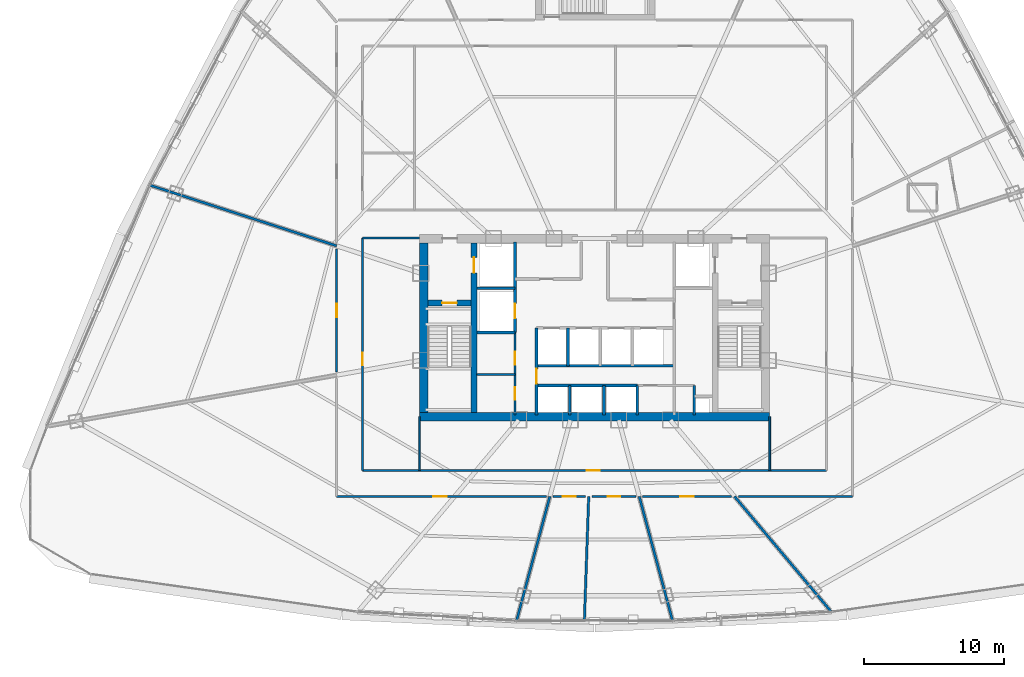
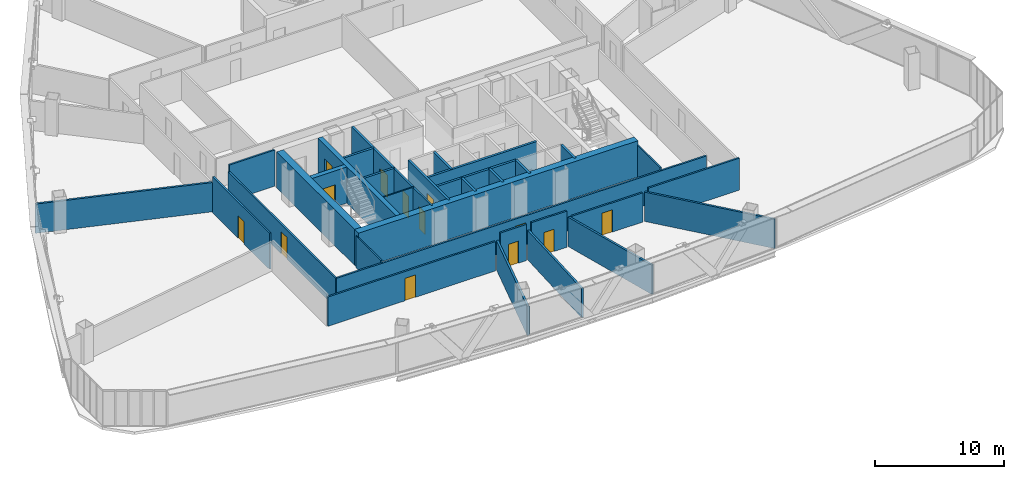
# One storey, part 35 of 42: 33 walls, 13 doors, 13 openings.
"""IFC4 building model written with IfcOpenShell, lengths in metres."""

from ifc_helpers import new_model, si_unit, direction, frame, frame_2d, origin, origin_with_axes, place, context, subcontext, project, spatial, rectangle, extrude, source, transform, mapped, material, layer, layer_set, type_object, element, fill, save


model = new_model("IFC4")

# Units and contexts
model_context = context("Model", 3, precision=1e-05, world=origin(), true_north=direction((0.0, 1.0)))
body_context = subcontext(model_context, "Body", "Model", "MODEL_VIEW")
ifc_project = project(units=[si_unit("LENGTHUNIT", "METRE"), si_unit("AREAUNIT", "SQUARE_METRE"), si_unit("VOLUMEUNIT", "CUBIC_METRE"), si_unit("PLANEANGLEUNIT", "RADIAN"), si_unit("MASSUNIT", "GRAM", prefix="KILO"), si_unit("THERMODYNAMICTEMPERATUREUNIT", "KELVIN"), si_unit("POWERUNIT", "WATT")], contexts=[model_context])

# Site, building, storey
site_placement = place(None, origin())
site = spatial("IfcSite", under=ifc_project, at=site_placement, CompositionType="ELEMENT")
building_placement = place(site_placement, origin())
building = spatial("IfcBuilding", under=site, at=building_placement, Name="Yunzhuo Pagoda Commons", CompositionType="ELEMENT")
storey_placement = place(building_placement, frame((0.0, 0.0, 137.18994140625)))
storey = spatial("IfcBuildingStorey", under=building, at=storey_placement, Name="L34", CompositionType="ELEMENT", Elevation=137.18994140625)

# Walls
ifc_material_1 = material(Name="Concrete C60", Category="concrete")
ifc_layer_1 = layer(ifc_material_1, 0.60009765625)
ifc_layer_set_1 = layer_set([ifc_layer_1], Name="Concrete C60")
wall_type_1 = type_object("IfcWallType", Name="W-C02 Mid Core Shear Wall 600", PredefinedType="SHEAR", material=ifc_layer_set_1)
wall_1_placement = place(storey_placement, frame((35.5, 27.5, 0.0), z_axis=(0.0, 0.0, 1.0), x_axis=(1.0, 0.0, 0.0)))
element("IfcWall", 1, at=wall_1_placement, inside=storey, type_object=wall_type_1, Name="L34 core shear wall S", PredefinedType="SHEAR", context=body_context, shape_type="SweptSolid", body=[
    extrude(rectangle(XDim=25.0, YDim=0.60009765625, at=frame_2d((12.5, 0.0))), origin(), (0.0, 0.0, 1.0), 3.420166015625),
])
wall_2_placement = place(storey_placement, frame((35.800048828125, 27.800048828125, 0.0), z_axis=(0.0, 0.0, 1.0), x_axis=(0.0, 1.0, 0.0)))
element("IfcWall", 2, at=wall_2_placement, inside=storey, type_object=wall_type_1, Name="L34 core shear wall W", PredefinedType="SHEAR", context=body_context, shape_type="SweptSolid", body=[
    extrude(rectangle(XDim=12.099853515625, YDim=0.60009765625, at=frame_2d((6.0498046875, 0.0))), origin(), (0.0, 0.0, 1.0), 3.420166015625),
])

# Wall, openings, doors
ifc_material_2 = material(Name="Gypsum plasterboard on acoustic stud")
ifc_layer_2 = layer(ifc_material_2, 0.155029296875)
ifc_layer_set_2 = layer_set([ifc_layer_2], Name="Gypsum plasterboard on acoustic stud")
wall_type_2 = type_object("IfcWallType", Name="W-COR2 Mid-Zone Rated Corridor Wall 155", PredefinedType="PARTITIONING", material=ifc_layer_set_2)
wall_3_placement = place(storey_placement, frame((42.320068359375, 27.60009765625, 0.0), z_axis=(0.0, 0.0, 1.0), x_axis=(0.0, 1.0, 0.0)))
wall_3 = element("IfcWall", 3, at=wall_3_placement, inside=storey, type_object=wall_type_2, Name="L34 interior wall IW-L34-CSWE", PredefinedType="PARTITIONING", context=body_context, shape_type="SweptSolid", body=[
    extrude(rectangle(XDim=5.89990234375, YDim=0.155029296875, at=frame_2d((2.949951171875, 0.0))), origin(), (0.0, 0.0, 1.0), 3.420166015625),
])
opening_1_placement = place(wall_3_placement, frame((1.10009765625, 0.0, 0.0)))
opening_1 = element("IfcOpeningElement", 4, at=opening_1_placement, cuts=wall_3, Name="Opening D-03", PredefinedType="OPENING", context=body_context, shape_type="SweptSolid", body=[
    extrude(rectangle(XDim=0.89990234375, YDim=2.10009765625, at=frame_2d((0.449951171875, 1.050048828125))), frame((0.0, 0.08740234375, 0.0), z_axis=(0.0, -1.0, 0.0), x_axis=(1.0, 0.0, 0.0)), (0.0, 0.0, 1.0), 0.175048828125),
])
opening_2_placement = place(wall_3_placement, frame((3.60009765625, 0.0, 0.0)))
opening_2 = element("IfcOpeningElement", 5, at=opening_2_placement, cuts=wall_3, Name="Opening D-11", PredefinedType="OPENING", context=body_context, shape_type="SweptSolid", body=[
    extrude(rectangle(XDim=0.93994140625, YDim=2.10009765625, at=frame_2d((0.469970703125, 1.050048828125))), frame((0.0, 0.08740234375, 0.0), z_axis=(0.0, -1.0, 0.0), x_axis=(1.0, 0.0, 0.0)), (0.0, 0.0, 1.0), 0.175048828125),
])
ifc_material_3 = material(Name="Galvanized fire-resisting metal leaf")
door_type_1 = type_object("IfcDoorType", Name="D-03 Core Service Fire Door 900x2100", OperationType="NOTDEFINED", PredefinedType="DOOR", material=ifc_material_3)
shared_shape_1 = source(origin(), body_context, "Body", "SweptSolid", [
    extrude(rectangle(XDim=0.89990234375, YDim=2.10009765625, at=frame_2d((0.449951171875, 1.050048828125))), frame((0.0, 0.02490234375, 0.0), z_axis=(0.0, -1.0, 0.0), x_axis=(1.0, 0.0, 0.0)), (0.0, 0.0, 1.0), 0.050048828125),
])
door_1_placement = place(opening_1_placement, origin_with_axes())
door_1 = element("IfcDoor", 6, at=door_1_placement, inside=storey, type_object=door_type_1, Name="L34 housekeeping door", OperationType="SINGLE_SWING_RIGHT", OverallHeight=2.10009765625, OverallWidth=0.89990234375, PredefinedType="DOOR", context=body_context, shape_type="MappedRepresentation", body=[
    mapped(shared_shape_1, transform((0.0, 0.0, 0.0), scale=1.0)),
])
fill(opening_1, door_1)
door_type_2 = type_object("IfcDoorType", Name="D-11 Accessible Washroom Fire Door 940x2100", OperationType="NOTDEFINED", PredefinedType="DOOR", material=ifc_material_3)
shared_shape_2 = source(origin(), body_context, "Body", "SweptSolid", [
    extrude(rectangle(XDim=0.93994140625, YDim=2.10009765625, at=frame_2d((0.469970703125, 1.050048828125))), frame((0.0, 0.02490234375, 0.0), z_axis=(0.0, -1.0, 0.0), x_axis=(1.0, 0.0, 0.0)), (0.0, 0.0, 1.0), 0.050048828125),
])
door_2_placement = place(opening_2_placement, origin_with_axes())
door_2 = element("IfcDoor", 7, at=door_2_placement, inside=storey, type_object=door_type_2, Name="L34 core WC door", OperationType="SINGLE_SWING_RIGHT", OverallHeight=2.10009765625, OverallWidth=0.93994140625, PredefinedType="DOOR", context=body_context, shape_type="MappedRepresentation", body=[
    mapped(shared_shape_2, transform((0.0, 0.0, 0.0), scale=1.0)),
])
fill(opening_2, door_2)

# Wall, opening, door
wall_4_placement = place(storey_placement, frame((31.449951171875, 23.64990234375, 0.0), z_axis=(0.0, 0.0, 1.0), x_axis=(0.0, 1.0, 0.0)))
wall_4 = element("IfcWall", 8, at=wall_4_placement, inside=storey, type_object=wall_type_2, Name="L34 interior wall IW-L34-SFLW", PredefinedType="PARTITIONING", context=body_context, shape_type="SweptSolid", body=[
    extrude(rectangle(XDim=16.60009765625, YDim=0.155029296875, at=frame_2d((8.300048828125, 0.0))), origin(), (0.0, 0.0, 1.0), 2.77001953125),
])
opening_3_placement = place(wall_4_placement, frame((7.5, 0.0, 0.0)))
opening_3 = element("IfcOpeningElement", 9, at=opening_3_placement, cuts=wall_4, Name="Opening D-12", PredefinedType="OPENING", context=body_context, shape_type="SweptSolid", body=[
    extrude(rectangle(XDim=0.89990234375, YDim=2.080078125, at=frame_2d((0.449951171875, 1.0400390625))), frame((0.0, 0.08740234375, 0.0), z_axis=(0.0, -1.0, 0.0), x_axis=(1.0, 0.0, 0.0)), (0.0, 0.0, 1.0), 0.175048828125),
])
ifc_material_4 = material(Name="Powder-coated aluminium and timber acoustic leaf", Category="wood")
door_type_3 = type_object("IfcDoorType", Name="D-12 Quiet Study Interior Door 900x2080", OperationType="NOTDEFINED", PredefinedType="DOOR", material=ifc_material_4)
shared_shape_3 = source(origin(), body_context, "Body", "SweptSolid", [
    extrude(rectangle(XDim=0.89990234375, YDim=2.080078125, at=frame_2d((0.449951171875, 1.0400390625))), frame((0.0, 0.02490234375, 0.0), z_axis=(0.0, -1.0, 0.0), x_axis=(1.0, 0.0, 0.0)), (0.0, 0.0, 1.0), 0.050048828125),
])
door_3_placement = place(opening_3_placement, origin_with_axes())
door_3 = element("IfcDoor", 10, at=door_3_placement, inside=storey, type_object=door_type_3, Name="L34 west study workroom door", OperationType="SINGLE_SWING_LEFT", OverallHeight=2.080078125, OverallWidth=0.89990234375, PredefinedType="DOOR", context=body_context, shape_type="MappedRepresentation", body=[
    mapped(shared_shape_3, transform((0.0, 0.0, 0.0), scale=1.0)),
])
fill(opening_3, door_3)

wall_5_placement = place(storey_placement, frame((31.449951171875, 23.64990234375, 0.0), z_axis=(0.0, 0.0, 1.0), x_axis=(1.0, 0.0, 0.0)))
wall_5 = element("IfcWall", 11, at=wall_5_placement, inside=storey, type_object=wall_type_2, Name="L34 interior wall IW-L34-SFLS", PredefinedType="PARTITIONING", context=body_context, shape_type="SweptSolid", body=[
    extrude(rectangle(XDim=33.10009765625, YDim=0.155029296875, at=frame_2d((16.550048828125, 0.0))), origin(), (0.0, 0.0, 1.0), 2.77001953125),
])
opening_4_placement = place(wall_5_placement, frame((16.0, 0.0, 0.0)))
opening_4 = element("IfcOpeningElement", 12, at=opening_4_placement, cuts=wall_5, Name="Opening D-04", PredefinedType="OPENING", context=body_context, shape_type="SweptSolid", body=[
    extrude(rectangle(XDim=0.919921875, YDim=2.10009765625, at=frame_2d((0.4599609375, 1.050048828125))), frame((0.0, 0.08740234375, 0.0), z_axis=(0.0, -1.0, 0.0), x_axis=(1.0, 0.0, 0.0)), (0.0, 0.0, 1.0), 0.175048828125),
])
door_type_4 = type_object("IfcDoorType", Name="D-04 Bedroom & Study Interior Door 920x2100", OperationType="NOTDEFINED", PredefinedType="DOOR", material=ifc_material_4)
shared_shape_4 = source(origin(), body_context, "Body", "SweptSolid", [
    extrude(rectangle(XDim=0.919921875, YDim=2.10009765625, at=frame_2d((0.4599609375, 1.050048828125))), frame((0.0, 0.02490234375, 0.0), z_axis=(0.0, -1.0, 0.0), x_axis=(1.0, 0.0, 0.0)), (0.0, 0.0, 1.0), 0.050048828125),
])
door_4_placement = place(opening_4_placement, frame((0.919921875, 0.0, 0.0), z_axis=(0.0, 0.0, 1.0), x_axis=(-1.0, 0.0, 0.0)))
door_4 = element("IfcDoor", 13, at=door_4_placement, inside=storey, type_object=door_type_4, Name="L34 south seminar room door", OperationType="SINGLE_SWING_RIGHT", OverallHeight=2.10009765625, OverallWidth=0.919921875, PredefinedType="DOOR", context=body_context, shape_type="MappedRepresentation", body=[
    mapped(shared_shape_4, transform((0.0, 0.0, 0.0), scale=1.0)),
])
fill(opening_4, door_4)

# Wall
wall_6_placement = place(storey_placement, frame((31.449951171875, 40.25, 0.0), z_axis=(0.0, 0.0, 1.0), x_axis=(1.0, 0.0, 0.0)))
element("IfcWall", 14, at=wall_6_placement, inside=storey, type_object=wall_type_2, Name="L34 interior wall IW-L34-SFLNW", PredefinedType="PARTITIONING", context=body_context, shape_type="SweptSolid", body=[
    extrude(rectangle(XDim=4.050048828125, YDim=0.155029296875, at=frame_2d((2.02490234375, 0.0))), origin(), (0.0, 0.0, 1.0), 3.420166015625),
])

# Wall, opening, door
wall_7_placement = place(storey_placement, frame((29.60009765625, 30.67529296875, 0.0), z_axis=(0.0, 0.0, 1.0), x_axis=(0.0, 1.0, 0.0)))
wall_7 = element("IfcWall", 15, at=wall_7_placement, inside=storey, type_object=wall_type_2, Name="L34 interior wall IW-L34-CWL02", PredefinedType="PARTITIONING", context=body_context, shape_type="SweptSolid", body=[
    extrude(rectangle(XDim=8.783447265625, YDim=0.155029296875, at=frame_2d((4.3916015625, 0.0))), origin(), (0.0, 0.0, 1.0), 3.420166015625),
])
opening_5_placement = place(wall_7_placement, frame((3.916748046875, 0.0, 0.0)))
opening_5 = element("IfcOpeningElement", 16, at=opening_5_placement, cuts=wall_7, Name="Opening D-07", PredefinedType="OPENING", context=body_context, shape_type="SweptSolid", body=[
    extrude(rectangle(XDim=0.9599609375, YDim=2.1201171875, at=frame_2d((0.47998046875, 1.06005859375))), frame((0.0, 0.08740234375, 0.0), z_axis=(0.0, -1.0, 0.0), x_axis=(1.0, 0.0, 0.0)), (0.0, 0.0, 1.0), 0.175048828125),
])
door_type_5 = type_object("IfcDoorType", Name="D-07 Mid-Zone Suite Entrance Fire Door 960x2120", OperationType="NOTDEFINED", PredefinedType="DOOR", material=ifc_material_3)
shared_shape_5 = source(origin(), body_context, "Body", "SweptSolid", [
    extrude(rectangle(XDim=0.9599609375, YDim=2.1201171875, at=frame_2d((0.47998046875, 1.06005859375))), frame((0.0, 0.02490234375, 0.0), z_axis=(0.0, -1.0, 0.0), x_axis=(1.0, 0.0, 0.0)), (0.0, 0.0, 1.0), 0.050048828125),
])
door_5_placement = place(opening_5_placement, origin_with_axes())
door_5 = element("IfcDoor", 17, at=door_5_placement, inside=storey, type_object=door_type_5, Name="L34 unit 08 entrance door", OperationType="SINGLE_SWING_RIGHT", OverallHeight=2.1201171875, OverallWidth=0.9599609375, PredefinedType="DOOR", context=body_context, shape_type="MappedRepresentation", body=[
    mapped(shared_shape_5, transform((0.0, 0.0, 0.0), scale=1.0)),
])
fill(opening_5, door_5)

# Wall
wall_8_placement = place(storey_placement, frame((66.39990234375, 21.800048828125, 0.0), z_axis=(0.0, 0.0, 1.0), x_axis=(-1.0, 0.0, 0.0)))
element("IfcWall", 18, at=wall_8_placement, inside=storey, type_object=wall_type_2, Name="L34 interior wall IW-L34-CWL13", PredefinedType="PARTITIONING", context=body_context, shape_type="SweptSolid", body=[
    extrude(rectangle(XDim=8.12744140625, YDim=0.155029296875, at=frame_2d((4.063720703125, 0.0))), origin(), (0.0, 0.0, 1.0), 3.02001953125),
])

# Wall, opening, door
wall_9_placement = place(storey_placement, frame((57.765380859375, 21.800048828125, 0.0), z_axis=(0.0, 0.0, 1.0), x_axis=(-1.0, 0.0, 0.0)))
wall_9 = element("IfcWall", 19, at=wall_9_placement, inside=storey, type_object=wall_type_2, Name="L34 interior wall IW-L34-CWL14", PredefinedType="PARTITIONING", context=body_context, shape_type="SweptSolid", body=[
    extrude(rectangle(XDim=6.348876953125, YDim=0.155029296875, at=frame_2d((3.17431640625, 0.0))), origin(), (0.0, 0.0, 1.0), 2.77001953125),
])
opening_6_placement = place(wall_9_placement, frame((2.703369140625, 0.0, 0.0)))
opening_6 = element("IfcOpeningElement", 20, at=opening_6_placement, cuts=wall_9, Name="Opening D-07", PredefinedType="OPENING", context=body_context, shape_type="SweptSolid", body=[
    extrude(rectangle(XDim=0.9599609375, YDim=2.1201171875, at=frame_2d((0.47998046875, 1.06005859375))), frame((0.0, 0.08740234375, 0.0), z_axis=(0.0, -1.0, 0.0), x_axis=(1.0, 0.0, 0.0)), (0.0, 0.0, 1.0), 0.175048828125),
])
door_6_placement = place(opening_6_placement, origin_with_axes())
door_6 = element("IfcDoor", 21, at=door_6_placement, inside=storey, type_object=door_type_5, Name="L34 unit 12 entrance door", OperationType="SINGLE_SWING_RIGHT", OverallHeight=2.1201171875, OverallWidth=0.9599609375, PredefinedType="DOOR", context=body_context, shape_type="MappedRepresentation", body=[
    mapped(shared_shape_5, transform((0.0, 0.0, 0.0), scale=1.0)),
])
fill(opening_6, door_6)

wall_10_placement = place(storey_placement, frame((50.96875, 21.800048828125, 0.0), z_axis=(0.0, 0.0, 1.0), x_axis=(-1.0, 0.0, 0.0)))
wall_10 = element("IfcWall", 22, at=wall_10_placement, inside=storey, type_object=wall_type_2, Name="L34 interior wall IW-L34-CWL15", PredefinedType="PARTITIONING", context=body_context, shape_type="SweptSolid", body=[
    extrude(rectangle(XDim=3.16455078125, YDim=0.155029296875, at=frame_2d((1.582275390625, 0.0))), origin(), (0.0, 0.0, 1.0), 3.420166015625),
])
opening_7_placement = place(wall_10_placement, frame((1.122314453125, 0.0, 0.0)))
opening_7 = element("IfcOpeningElement", 23, at=opening_7_placement, cuts=wall_10, Name="Opening D-04", PredefinedType="OPENING", context=body_context, shape_type="SweptSolid", body=[
    extrude(rectangle(XDim=0.919921875, YDim=2.10009765625, at=frame_2d((0.4599609375, 1.050048828125))), frame((0.0, 0.08740234375, 0.0), z_axis=(0.0, -1.0, 0.0), x_axis=(1.0, 0.0, 0.0)), (0.0, 0.0, 1.0), 0.175048828125),
])
door_7_placement = place(opening_7_placement, origin_with_axes())
door_7 = element("IfcDoor", 24, at=door_7_placement, inside=storey, type_object=door_type_4, Name="L34 fellow workroom 11 door", OperationType="SINGLE_SWING_LEFT", OverallHeight=2.10009765625, OverallWidth=0.919921875, PredefinedType="DOOR", context=body_context, shape_type="MappedRepresentation", body=[
    mapped(shared_shape_4, transform((0.0, 0.0, 0.0), scale=1.0)),
])
fill(opening_7, door_7)

wall_11_placement = place(storey_placement, frame((47.3642578125, 21.800048828125, 0.0), z_axis=(0.0, 0.0, 1.0), x_axis=(-1.0, 0.0, 0.0)))
wall_11 = element("IfcWall", 25, at=wall_11_placement, inside=storey, type_object=wall_type_2, Name="L34 interior wall IW-L34-CWL16", PredefinedType="PARTITIONING", context=body_context, shape_type="SweptSolid", body=[
    extrude(rectangle(XDim=2.3330078125, YDim=0.155029296875, at=frame_2d((1.16650390625, 0.0))), origin(), (0.0, 0.0, 1.0), 3.420166015625),
])
opening_8_placement = place(wall_11_placement, frame((0.706298828125, 0.0, 0.0)))
opening_8 = element("IfcOpeningElement", 26, at=opening_8_placement, cuts=wall_11, Name="Opening D-04", PredefinedType="OPENING", context=body_context, shape_type="SweptSolid", body=[
    extrude(rectangle(XDim=0.919921875, YDim=2.10009765625, at=frame_2d((0.4599609375, 1.050048828125))), frame((0.0, 0.08740234375, 0.0), z_axis=(0.0, -1.0, 0.0), x_axis=(1.0, 0.0, 0.0)), (0.0, 0.0, 1.0), 0.175048828125),
])
door_8_placement = place(opening_8_placement, origin_with_axes())
door_8 = element("IfcDoor", 27, at=door_8_placement, inside=storey, type_object=door_type_4, Name="L34 fellow workroom 10 door", OperationType="SINGLE_SWING_RIGHT", OverallHeight=2.10009765625, OverallWidth=0.919921875, PredefinedType="DOOR", context=body_context, shape_type="MappedRepresentation", body=[
    mapped(shared_shape_4, transform((0.0, 0.0, 0.0), scale=1.0)),
])
fill(opening_8, door_8)

wall_12_placement = place(storey_placement, frame((44.58349609375, 21.800048828125, 0.0), z_axis=(0.0, 0.0, 1.0), x_axis=(-1.0, 0.0, 0.0)))
wall_12 = element("IfcWall", 28, at=wall_12_placement, inside=storey, type_object=wall_type_2, Name="L34 interior wall IW-L34-CWL17", PredefinedType="PARTITIONING", context=body_context, shape_type="SweptSolid", body=[
    extrude(rectangle(XDim=14.9833984375, YDim=0.155029296875, at=frame_2d((7.49169921875, 0.0))), origin(), (0.0, 0.0, 1.0), 2.77001953125),
])
opening_9_placement = place(wall_12_placement, frame((7.1328125, 0.0, 0.0)))
opening_9 = element("IfcOpeningElement", 29, at=opening_9_placement, cuts=wall_12, Name="Opening D-07", PredefinedType="OPENING", context=body_context, shape_type="SweptSolid", body=[
    extrude(rectangle(XDim=0.9599609375, YDim=2.1201171875, at=frame_2d((0.47998046875, 1.06005859375))), frame((0.0, 0.08740234375, 0.0), z_axis=(0.0, -1.0, 0.0), x_axis=(1.0, 0.0, 0.0)), (0.0, 0.0, 1.0), 0.175048828125),
])
door_9_placement = place(opening_9_placement, origin_with_axes())
door_9 = element("IfcDoor", 30, at=door_9_placement, inside=storey, type_object=door_type_5, Name="L34 Shared Resident Kitchen and Pantry door", OperationType="SINGLE_SWING_LEFT", OverallHeight=2.1201171875, OverallWidth=0.9599609375, PredefinedType="DOOR", context=body_context, shape_type="MappedRepresentation", body=[
    mapped(shared_shape_5, transform((0.0, 0.0, 0.0), scale=1.0)),
])
fill(opening_9, door_9)

# Walls
ifc_layer_3 = layer(ifc_material_2, 0.1201171875)
ifc_layer_set_3 = layer_set([ifc_layer_3], Name="Gypsum plasterboard on acoustic stud")
wall_type_3 = type_object("IfcWallType", Name="W-PRT1 Suite & Bathroom Partition 120", PredefinedType="PARTITIONING", material=ifc_layer_set_3)
wall_13_placement = place(storey_placement, frame((39.60009765625, 30.5, 0.0), z_axis=(0.0, 0.0, 1.0), x_axis=(1.0, 0.0, 0.0)))
element("IfcWall", 31, at=wall_13_placement, inside=storey, type_object=wall_type_3, Name="L34 interior wall IW-L34-CB1", PredefinedType="PARTITIONING", context=body_context, shape_type="SweptSolid", body=[
    extrude(rectangle(XDim=2.719970703125, YDim=0.1201171875, at=frame_2d((1.35986328125, 0.0))), origin(), (0.0, 0.0, 1.0), 3.420166015625),
])
for number, where, z_axis, x_axis, name in (
    (32, (35.5, 23.64990234375, 0.0), (0.0, 0.0, 1.0), (0.0, 1.0, 0.0), "L34 interior wall IW-L34-SFLD1"),
    (33, (60.5, 23.64990234375, 0.0), (0.0, 0.0, 1.0), (0.0, 1.0, 0.0), "L34 interior wall IW-L34-SFLD2"),
):
    element("IfcWall", number, at=place(storey_placement, frame(where, z_axis=z_axis, x_axis=x_axis)), inside=storey, type_object=wall_type_3, Name=name, PredefinedType="PARTITIONING", context=body_context, shape_type="SweptSolid", body=[
        extrude(rectangle(XDim=3.85009765625, YDim=0.1201171875, at=frame_2d((1.925048828125, 0.0))), origin(), (0.0, 0.0, 1.0), 3.02001953125),
    ])
ifc_layer_4 = layer(ifc_material_2, 0.175048828125)
ifc_layer_set_4 = layer_set([ifc_layer_4], Name="Gypsum plasterboard on acoustic stud")
wall_type_4 = type_object("IfcWallType", Name="W-PRT3 Mid-Zone Demising Wall 175", PredefinedType="PARTITIONING", material=ifc_layer_set_4)
wall_14_placement = place(storey_placement, frame((29.60009765625, 39.678466796875, 0.0), z_axis=(0.0, 0.0, 1.0), x_axis=(-0.95105622709, 0.309017884457, 0.0)))
element("IfcWall", 34, at=wall_14_placement, inside=storey, type_object=wall_type_4, Name="L34 interior wall IW-L34-RAD08", PredefinedType="PARTITIONING", context=body_context, shape_type="SweptSolid", body=[
    extrude(rectangle(XDim=14.006103515625, YDim=0.175048828125, at=frame_2d((7.0029296875, 0.0))), origin(), (0.0, 0.0, 1.0), 2.77001953125),
])
wall_15_placement = place(storey_placement, frame((44.811279296875, 21.800048828125, 0.0), z_axis=(0.0, 0.0, 1.0), x_axis=(-0.258799340884, -0.965931105803, 0.0)))
element("IfcWall", 35, at=wall_15_placement, inside=storey, type_object=wall_type_4, Name="L34 interior wall IW-L34-RAD10", PredefinedType="PARTITIONING", context=body_context, shape_type="SweptSolid", body=[
    extrude(rectangle(XDim=9.19580078125, YDim=0.175048828125, at=frame_2d((4.597900390625, 0.0))), origin(), (0.0, 0.0, 1.0), 2.77001953125),
])
wall_16_placement = place(storey_placement, frame((47.58447265625, 21.800048828125, 0.0), z_axis=(0.0, 0.0, 1.0), x_axis=(-0.034885165757, -0.999391327364, 0.0)))
element("IfcWall", 36, at=wall_16_placement, inside=storey, type_object=wall_type_4, Name="L34 interior wall IW-L34-RAD11", PredefinedType="PARTITIONING", context=body_context, shape_type="SweptSolid", body=[
    extrude(rectangle(XDim=8.887939453125, YDim=0.175048828125, at=frame_2d((4.44384765625, 0.0))), origin(), (0.0, 0.0, 1.0), 2.77001953125),
])
wall_17_placement = place(storey_placement, frame((51.188720703125, 21.800048828125, 0.0), z_axis=(0.0, 0.0, 1.0), x_axis=(0.258799340884, -0.965931105803, 0.0)))
element("IfcWall", 37, at=wall_17_placement, inside=storey, type_object=wall_type_4, Name="L34 interior wall IW-L34-RAD12", PredefinedType="PARTITIONING", context=body_context, shape_type="SweptSolid", body=[
    extrude(rectangle(XDim=9.19580078125, YDim=0.175048828125, at=frame_2d((4.597900390625, 0.0))), origin(), (0.0, 0.0, 1.0), 2.77001953125),
])
wall_18_placement = place(storey_placement, frame((57.9853515625, 21.800048828125, 0.0), z_axis=(0.0, 0.0, 1.0), x_axis=(0.642770875896, -0.766058484125, 0.0)))
element("IfcWall", 38, at=wall_18_placement, inside=storey, type_object=wall_type_4, Name="L34 interior wall IW-L34-RAD13", PredefinedType="PARTITIONING", context=body_context, shape_type="SweptSolid", body=[
    extrude(rectangle(XDim=10.754638671875, YDim=0.175048828125, at=frame_2d((5.37744140625, 0.0))), origin(), (0.0, 0.0, 1.0), 2.77001953125),
])

# Wall, opening, door
ifc_layer_5 = layer(ifc_material_1, 0.39990234375)
ifc_layer_set_5 = layer_set([ifc_layer_5], Name="Concrete C60")
wall_type_5 = type_object("IfcWallType", Name="W-S01 Internal Core Shear Web 400", PredefinedType="SHEAR", material=ifc_layer_set_5)
wall_19_placement = place(storey_placement, frame((39.39990234375, 27.800048828125, 0.0), z_axis=(0.0, 0.0, 1.0), x_axis=(0.0, 1.0, 0.0)))
wall_19 = element("IfcWall", 39, at=wall_19_placement, inside=storey, type_object=wall_type_5, Name="L34 core shear wall WEBW", PredefinedType="SHEAR", context=body_context, shape_type="SweptSolid", body=[
    extrude(rectangle(XDim=12.099853515625, YDim=0.39990234375, at=frame_2d((6.0498046875, 0.0))), origin(), (0.0, 0.0, 1.0), 3.420166015625),
])
opening_10_placement = place(wall_19_placement, frame((9.949951171875, 0.0, 0.0)))
opening_10 = element("IfcOpeningElement", 40, at=opening_10_placement, cuts=wall_19, Name="Opening LD-01", PredefinedType="OPENING", context=body_context, shape_type="SweptSolid", body=[
    extrude(rectangle(XDim=1.10009765625, YDim=2.10009765625, at=frame_2d((0.550048828125, 1.050048828125))), frame((0.0, 0.2099609375, 0.0), z_axis=(0.0, -1.0, 0.0), x_axis=(1.0, 0.0, 0.0)), (0.0, 0.0, 1.0), 0.419921875),
])
door_type_6 = type_object("IfcDoorType", Name="LD-01 Firefighting Lift Landing Door 1100x2100", OperationType="DOUBLE_DOOR_SLIDING", PredefinedType="DOOR", material=ifc_material_3)
shared_shape_6 = source(origin(), body_context, "Body", "SweptSolid", [
    extrude(rectangle(XDim=1.10009765625, YDim=2.10009765625, at=frame_2d((0.550048828125, 1.050048828125))), frame((0.0, 0.02490234375, 0.0), z_axis=(0.0, -1.0, 0.0), x_axis=(1.0, 0.0, 0.0)), (0.0, 0.0, 1.0), 0.050048828125),
])
door_10_placement = place(opening_10_placement, frame((1.10009765625, 0.0, 0.0), z_axis=(0.0, 0.0, 1.0), x_axis=(-1.0, 0.0, 0.0)))
door_10 = element("IfcDoor", 41, at=door_10_placement, inside=storey, type_object=door_type_6, Name="L34 Firefighting lift FL-1 landing door", OperationType="DOUBLE_DOOR_SLIDING", OverallHeight=2.10009765625, OverallWidth=1.10009765625, PredefinedType="DOOR", context=body_context, shape_type="MappedRepresentation", body=[
    mapped(shared_shape_6, transform((0.0, 0.0, 0.0), scale=1.0)),
])
fill(opening_10, door_10)

wall_20_placement = place(storey_placement, frame((36.10009765625, 35.60009765625, 0.0), z_axis=(0.0, 0.0, 1.0), x_axis=(1.0, 0.0, 0.0)))
wall_20 = element("IfcWall", 42, at=wall_20_placement, inside=storey, type_object=wall_type_5, Name="L34 core shear wall STW", PredefinedType="SHEAR", context=body_context, shape_type="SweptSolid", body=[
    extrude(rectangle(XDim=3.099853515625, YDim=0.39990234375, at=frame_2d((1.5498046875, 0.0))), origin(), (0.0, 0.0, 1.0), 3.420166015625),
])
opening_11_placement = place(wall_20_placement, frame((1.02001953125, 0.0, 0.0)))
opening_11 = element("IfcOpeningElement", 43, at=opening_11_placement, cuts=wall_20, Name="Opening D-01", PredefinedType="OPENING", context=body_context, shape_type="SweptSolid", body=[
    extrude(rectangle(XDim=1.050048828125, YDim=2.10009765625, at=frame_2d((0.52490234375, 1.050048828125))), frame((0.0, 0.2099609375, 0.0), z_axis=(0.0, -1.0, 0.0), x_axis=(1.0, 0.0, 0.0)), (0.0, 0.0, 1.0), 0.419921875),
])
door_type_7 = type_object("IfcDoorType", Name="D-01 Smokeproof Stair Fire Door 1050x2100", OperationType="NOTDEFINED", PredefinedType="DOOR", material=ifc_material_3)
shared_shape_7 = source(origin(), body_context, "Body", "SweptSolid", [
    extrude(rectangle(XDim=1.050048828125, YDim=2.10009765625, at=frame_2d((0.52490234375, 1.050048828125))), frame((0.0, 0.02490234375, 0.0), z_axis=(0.0, -1.0, 0.0), x_axis=(1.0, 0.0, 0.0)), (0.0, 0.0, 1.0), 0.050048828125),
])
door_11_placement = place(opening_11_placement, frame((1.050048828125, 0.0, 0.0), z_axis=(0.0, 0.0, 1.0), x_axis=(-1.0, 0.0, 0.0)))
door_11 = element("IfcDoor", 44, at=door_11_placement, inside=storey, type_object=door_type_7, Name="L34 Stair ST1 fire door", OperationType="SINGLE_SWING_LEFT", OverallHeight=2.10009765625, OverallWidth=1.050048828125, PredefinedType="DOOR", context=body_context, shape_type="MappedRepresentation", body=[
    mapped(shared_shape_7, transform((0.0, 0.0, 0.0), scale=1.0)),
])
fill(opening_11, door_11)

ifc_material_5 = material(Name="Concrete C40", Category="concrete")
ifc_layer_6 = layer(ifc_material_5, 0.199951171875)
ifc_layer_set_6 = layer_set([ifc_layer_6], Name="Concrete C40")
wall_type_6 = type_object("IfcWallType", Name="W-SHF Shaft & Stair Enclosure Wall 200", PredefinedType="SOLIDWALL", material=ifc_layer_set_6)
wall_21_placement = place(storey_placement, frame((42.320068359375, 33.5, 0.0), z_axis=(0.0, 0.0, 1.0), x_axis=(0.0, 1.0, 0.0)))
wall_21 = element("IfcWall", 45, at=wall_21_placement, inside=storey, type_object=wall_type_6, Name="L34 interior wall IW-L34-FL1E", PredefinedType="SOLIDWALL", context=body_context, shape_type="SweptSolid", body=[
    extrude(rectangle(XDim=6.449951171875, YDim=0.199951171875, at=frame_2d((3.22509765625, 0.0))), origin(), (0.0, 0.0, 1.0), 3.420166015625),
])
opening_12_placement = place(wall_21_placement, frame((1.0, 0.0, 0.0)))
opening_12 = element("IfcOpeningElement", 46, at=opening_12_placement, cuts=wall_21, Name="Opening LD-02", PredefinedType="OPENING", context=body_context, shape_type="SweptSolid", body=[
    extrude(rectangle(XDim=1.050048828125, YDim=2.10009765625, at=frame_2d((0.52490234375, 1.050048828125))), frame((0.0, 0.10986328125, 0.0), z_axis=(0.0, -1.0, 0.0), x_axis=(1.0, 0.0, 0.0)), (0.0, 0.0, 1.0), 0.219970703125),
])
door_type_8 = type_object("IfcDoorType", Name="LD-02 Passenger Lift Landing Door 1050x2100", OperationType="DOUBLE_DOOR_SLIDING", PredefinedType="DOOR", material=ifc_material_3)
door_12_placement = place(opening_12_placement, origin_with_axes())
door_12 = element("IfcDoor", 47, at=door_12_placement, inside=storey, type_object=door_type_8, Name="L34 Service lift SL-1 landing door", OperationType="DOUBLE_DOOR_SLIDING", OverallHeight=2.10009765625, OverallWidth=1.050048828125, PredefinedType="DOOR", context=body_context, shape_type="MappedRepresentation", body=[
    mapped(shared_shape_7, transform((0.0, 0.0, 0.0), scale=1.0)),
])
fill(opening_12, door_12)

# Walls
for number, where, z_axis, x_axis, name in (
    (48, (39.60009765625, 36.64990234375, 0.0), (0.0, 0.0, 1.0), (1.0, 0.0, 0.0), "L34 interior wall IW-L34-FL1S"),
    (49, (39.60009765625, 33.5, 0.0), (0.0, 0.0, 1.0), (1.0, 0.0, 0.0), "L34 interior wall IW-L34-SL1S"),
):
    element("IfcWall", number, at=place(storey_placement, frame(where, z_axis=z_axis, x_axis=x_axis)), inside=storey, type_object=wall_type_6, Name=name, PredefinedType="SOLIDWALL", context=body_context, shape_type="SweptSolid", body=[
        extrude(rectangle(XDim=2.719970703125, YDim=0.199951171875, at=frame_2d((1.35986328125, 0.0))), origin(), (0.0, 0.0, 1.0), 3.420166015625),
    ])

# Wall, opening, door
wall_22_placement = place(storey_placement, frame((43.85009765625, 27.60009765625, 0.0), z_axis=(0.0, 0.0, 1.0), x_axis=(0.0, 1.0, 0.0)))
wall_22 = element("IfcWall", 50, at=wall_22_placement, inside=storey, type_object=wall_type_6, Name="L34 interior wall IW-L34-PLMW", PredefinedType="SOLIDWALL", context=body_context, shape_type="SweptSolid", body=[
    extrude(rectangle(XDim=6.219970703125, YDim=0.199951171875, at=frame_2d((3.10986328125, 0.0))), origin(), (0.0, 0.0, 1.0), 3.420166015625),
])
opening_13_placement = place(wall_22_placement, frame((2.25, 0.0, 0.0)))
opening_13 = element("IfcOpeningElement", 51, at=opening_13_placement, cuts=wall_22, Name="Opening D-02", PredefinedType="OPENING", context=body_context, shape_type="SweptSolid", body=[
    extrude(rectangle(XDim=1.050048828125, YDim=2.10009765625, at=frame_2d((0.52490234375, 1.050048828125))), frame((0.0, 0.10986328125, 0.0), z_axis=(0.0, -1.0, 0.0), x_axis=(1.0, 0.0, 0.0)), (0.0, 0.0, 1.0), 0.219970703125),
])
door_type_9 = type_object("IfcDoorType", Name="D-02 Firefighting Lobby & Refuge Fire Door 1050x2100", OperationType="NOTDEFINED", PredefinedType="DOOR", material=ifc_material_3)
door_13_placement = place(opening_13_placement, frame((1.050048828125, 0.0, 0.0), z_axis=(0.0, 0.0, 1.0), x_axis=(-1.0, 0.0, 0.0)))
door_13 = element("IfcDoor", 52, at=door_13_placement, inside=storey, type_object=door_type_9, Name="L34 High-bank hall west door", OperationType="SINGLE_SWING_LEFT", OverallHeight=2.10009765625, OverallWidth=1.050048828125, PredefinedType="DOOR", context=body_context, shape_type="MappedRepresentation", body=[
    mapped(shared_shape_7, transform((0.0, 0.0, 0.0), scale=1.0)),
])
fill(opening_13, door_13)

# Walls
wall_23_placement = place(storey_placement, frame((46.10009765625, 31.1201171875, 0.0), z_axis=(0.0, 0.0, 1.0), x_axis=(0.0, 1.0, 0.0)))
element("IfcWall", 53, at=wall_23_placement, inside=storey, type_object=wall_type_6, Name="L34 interior wall IW-L34-PLMD1", PredefinedType="SOLIDWALL", context=body_context, shape_type="SweptSolid", body=[
    extrude(rectangle(XDim=2.699951171875, YDim=0.199951171875, at=frame_2d((1.35009765625, 0.0))), origin(), (0.0, 0.0, 1.0), 3.420166015625),
])
wall_24_placement = place(storey_placement, frame((43.85009765625, 29.719970703125, 0.0), z_axis=(0.0, 0.0, 1.0), x_axis=(1.0, 0.0, 0.0)))
element("IfcWall", 54, at=wall_24_placement, inside=storey, type_object=wall_type_6, Name="L34 interior wall IW-L34-PLHN", PredefinedType="SOLIDWALL", context=body_context, shape_type="SweptSolid", body=[
    extrude(rectangle(XDim=7.199951171875, YDim=0.199951171875, at=frame_2d((3.60009765625, 0.0))), origin(), (0.0, 0.0, 1.0), 3.420166015625),
])
wall_25_placement = place(storey_placement, frame((51.050048828125, 27.60009765625, 0.0), z_axis=(0.0, 0.0, 1.0), x_axis=(0.0, 1.0, 0.0)))
element("IfcWall", 55, at=wall_25_placement, inside=storey, type_object=wall_type_6, Name="L34 interior wall IW-L34-PLHE", PredefinedType="SOLIDWALL", context=body_context, shape_type="SweptSolid", body=[
    extrude(rectangle(XDim=2.119873046875, YDim=0.199951171875, at=frame_2d((1.06005859375, 0.0))), origin(), (0.0, 0.0, 1.0), 3.420166015625),
])
wall_26_placement = place(storey_placement, frame((43.85009765625, 31.1201171875, 0.0), z_axis=(0.0, 0.0, 1.0), x_axis=(1.0, 0.0, 0.0)))
element("IfcWall", 56, at=wall_26_placement, inside=storey, type_object=wall_type_6, Name="L34 interior wall IW-L34-PLMS2", PredefinedType="SOLIDWALL", context=body_context, shape_type="SweptSolid", body=[
    extrude(rectangle(XDim=9.829833984375, YDim=0.199951171875, at=frame_2d((4.9150390625, 0.0))), origin(), (0.0, 0.0, 1.0), 3.420166015625),
])
for number, where, z_axis, x_axis, name in (
    (57, (46.22509765625, 27.60009765625, 0.0), (0.0, 0.0, 1.0), (0.0, 1.0, 0.0), "L34 interior wall IW-L34-PLHD1"),
    (58, (48.675048828125, 27.60009765625, 0.0), (0.0, 0.0, 1.0), (0.0, 1.0, 0.0), "L34 interior wall IW-L34-PLHD2"),
    (59, (55.1201171875, 27.60009765625, 0.0), (0.0, 0.0, 1.0), (0.0, 1.0, 0.0), "L34 interior wall IW-L34-RSHFW"),
):
    element("IfcWall", number, at=place(storey_placement, frame(where, z_axis=z_axis, x_axis=x_axis)), inside=storey, type_object=wall_type_6, Name=name, PredefinedType="SOLIDWALL", context=body_context, shape_type="SweptSolid", body=[
        extrude(rectangle(XDim=2.119873046875, YDim=0.199951171875, at=frame_2d((1.06005859375, 0.0))), origin(), (0.0, 0.0, 1.0), 3.420166015625),
    ])

save(model, "model.ifc")
